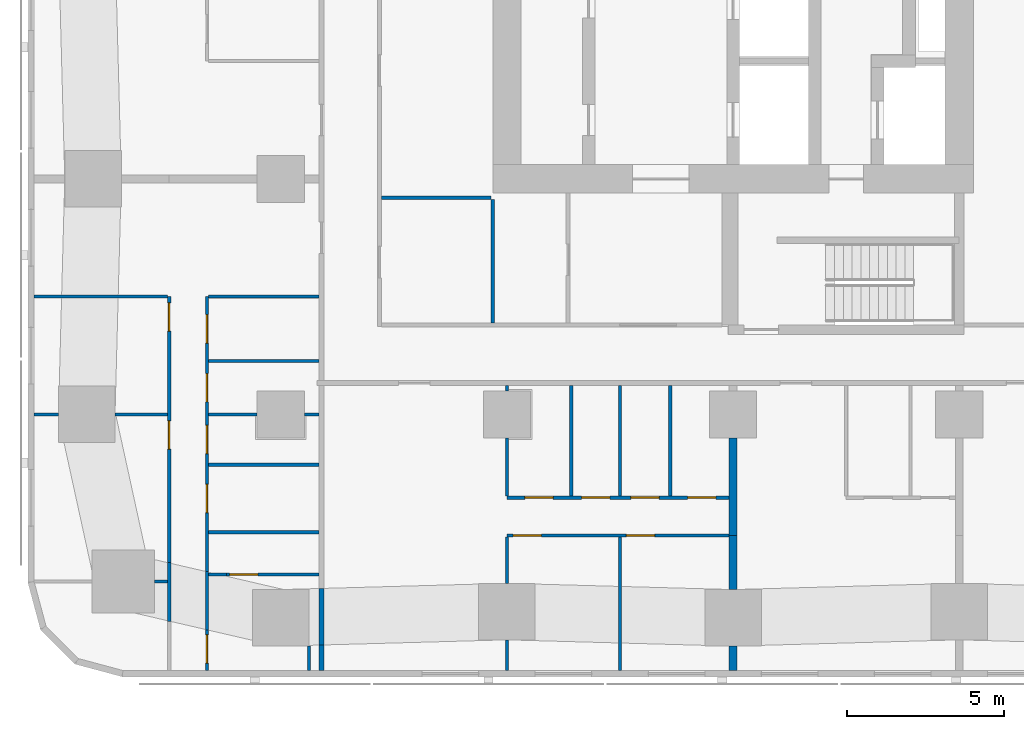
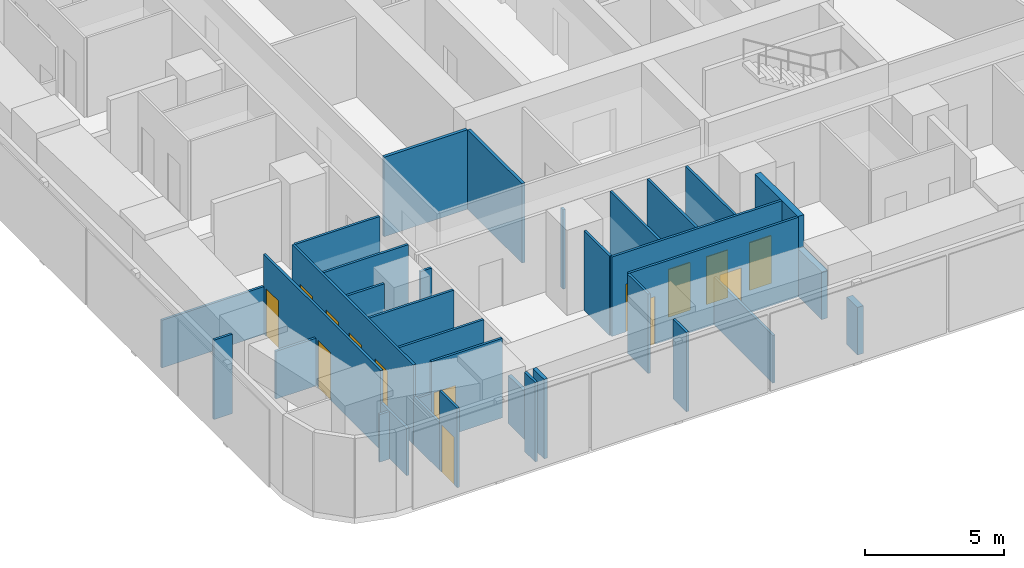
# One storey, part 2 of 15: 35 walls, 14 doors, 14 openings.
"""IFC4 building model written with IfcOpenShell, lengths in metres."""

from ifc_helpers import new_model, si_unit, direction, frame, frame_2d, origin, place, context, subcontext, project, spatial, rectangle, extrude, material, layer, layer_set, type_object, element, fill, save


model = new_model("IFC4")

# Units and contexts
model_context = context("Model", 3, precision=1e-05, world=origin(), true_north=direction((0.0, 1.0)))
body_context = subcontext(model_context, "Body", "Model", "MODEL_VIEW")
ifc_project = project(units=[si_unit("LENGTHUNIT", "METRE"), si_unit("AREAUNIT", "SQUARE_METRE"), si_unit("VOLUMEUNIT", "CUBIC_METRE"), si_unit("PLANEANGLEUNIT", "RADIAN"), si_unit("MASSUNIT", "GRAM", prefix="KILO")], contexts=[model_context])

# Site, building, storey
site_placement = place(None, origin())
site = spatial("IfcSite", under=ifc_project, at=site_placement, CompositionType="ELEMENT")
building_placement = place(site_placement, origin())
building = spatial("IfcBuilding", under=site, at=building_placement, Name="Sheger Commons Tower", CompositionType="ELEMENT")
storey_placement = place(building_placement, frame((0.0, 0.0, 180.800048828125)))
storey = spatial("IfcBuildingStorey", under=building, at=storey_placement, Name="L46", CompositionType="ELEMENT", Elevation=180.800048828125)

# Walls
ifc_material_1 = material(Name="Hollow concrete block masonry, skimmed both sides", Category="masonry")
ifc_layer_1 = layer(ifc_material_1, 0.14990234375)
ifc_layer_set_1 = layer_set([ifc_layer_1], Name="CORRIDOR WALL 150")
wall_type_1 = type_object("IfcWallType", Name="CORRIDOR WALL 150", PredefinedType="SOLIDWALL", material=ifc_layer_set_1)
wall_1_placement = place(storey_placement, frame((8.5, -0.64990234375, 0.0), z_axis=(0.0, 0.0, 1.0), x_axis=(0.0, 1.0, 0.0)))
element("IfcWall", 1, at=wall_1_placement, inside=storey, type_object=wall_type_1, Name="Corridor wall L46", PredefinedType="SOLIDWALL", context=body_context, shape_type="SweptSolid", body=[
    extrude(rectangle(XDim=0.808837890625, YDim=0.14990234375, at=frame_2d((0.404296875, 0.0))), origin(), (0.0, 0.0, 1.0), 3.5),
])
wall_2_placement = place(storey_placement, frame((8.5, 0.158935546875, 0.0), z_axis=(0.0, 0.0, 1.0), x_axis=(0.0, 1.0, 0.0)))
element("IfcWall", 2, at=wall_2_placement, inside=storey, type_object=wall_type_1, Name="Corridor wall L46", PredefinedType="SOLIDWALL", context=body_context, shape_type="SweptSolid", body=[
    extrude(rectangle(XDim=1.80517578125, YDim=0.14990234375, at=frame_2d((0.902587890625, 0.0))), origin(), (0.0, 0.0, 1.0), 2.099853515625),
])
ifc_material_2 = material(Name="Dense concrete block masonry, plastered both sides (separating wall between flats)", Category="masonry")
ifc_layer_2 = layer(ifc_material_2, 0.25)
ifc_layer_set_2 = layer_set([ifc_layer_2], Name="DEMISING WALL 250")
wall_type_2 = type_object("IfcWallType", Name="DEMISING WALL 250", PredefinedType="SOLIDWALL", material=ifc_layer_set_2)
wall_3_placement = place(storey_placement, frame((21.60009765625, -0.64990234375, 0.0), z_axis=(0.0, 0.0, 1.0), x_axis=(0.0, 1.0, 0.0)))
element("IfcWall", 3, at=wall_3_placement, inside=storey, type_object=wall_type_2, Name="Demising wall L46", PredefinedType="SOLIDWALL", context=body_context, shape_type="SweptSolid", body=[
    extrude(rectangle(XDim=0.77392578125, YDim=0.25, at=frame_2d((0.386962890625, 0.0))), origin(), (0.0, 0.0, 1.0), 2.099853515625),
])
wall_4_placement = place(storey_placement, frame((21.60009765625, 1.926025390625, 0.0), z_axis=(0.0, 0.0, 1.0), x_axis=(0.0, 1.0, 0.0)))
element("IfcWall", 4, at=wall_4_placement, inside=storey, type_object=wall_type_2, Name="Demising wall L46", PredefinedType="SOLIDWALL", context=body_context, shape_type="SweptSolid", body=[
    extrude(rectangle(XDim=1.723876953125, YDim=0.25, at=frame_2d((0.86181640625, 0.0))), origin(), (0.0, 0.0, 1.0), 2.099853515625),
])
wall_5_placement = place(storey_placement, frame((21.60009765625, 3.64990234375, 0.0), z_axis=(0.0, 0.0, 1.0), x_axis=(0.0, 1.0, 0.0)))
element("IfcWall", 5, at=wall_5_placement, inside=storey, type_object=wall_type_2, Name="Demising wall L46", PredefinedType="SOLIDWALL", context=body_context, shape_type="SweptSolid", body=[
    extrude(rectangle(XDim=3.09912109375, YDim=0.25, at=frame_2d((1.549560546875, 0.0))), origin(), (0.0, 0.0, 1.0), 3.5),
])
ifc_material_3 = material(Name="Gypsum board on steel studs", Category="steel")
ifc_layer_3 = layer(ifc_material_3, 0.10009765625)
ifc_layer_set_3 = layer_set([ifc_layer_3], Name="PARTITION 100")
wall_type_3 = type_object("IfcWallType", Name="PARTITION 100", PredefinedType="PARTITIONING", material=ifc_layer_set_3)
wall_6_placement = place(storey_placement, frame((8.10009765625, 0.1240234375, 0.0), z_axis=(0.0, 0.0, 1.0), x_axis=(0.0, -1.0, 0.0)))
element("IfcWall", 6, at=wall_6_placement, inside=storey, type_object=wall_type_3, Name="Partition L46", PredefinedType="PARTITIONING", context=body_context, shape_type="SweptSolid", body=[
    extrude(rectangle(XDim=0.77392578125, YDim=0.10009765625, at=frame_2d((0.386962890625, 0.0))), origin(), (0.0, 0.0, 1.0), 3.5),
])
wall_7_placement = place(storey_placement, frame((3.64990234375, 0.912109375, 0.0), z_axis=(0.0, 0.0, 1.0), x_axis=(0.0, 1.0, 0.0)))
element("IfcWall", 7, at=wall_7_placement, inside=storey, type_object=wall_type_3, Name="Partition L46", PredefinedType="PARTITIONING", context=body_context, shape_type="SweptSolid", body=[
    extrude(rectangle(XDim=1.869873046875, YDim=0.10009765625, at=frame_2d((0.93505859375, 0.0))), origin(), (0.0, 0.0, 1.0), 2.099853515625),
])

# Wall, openings, doors
wall_8_placement = place(storey_placement, frame((3.64990234375, 2.781982421875, 0.0), z_axis=(0.0, 0.0, 1.0), x_axis=(0.0, 1.0, 0.0)))
wall_8 = element("IfcWall", 8, at=wall_8_placement, inside=storey, type_object=wall_type_3, Name="Partition L46", PredefinedType="PARTITIONING", context=body_context, shape_type="SweptSolid", body=[
    extrude(rectangle(XDim=8.468017578125, YDim=0.10009765625, at=frame_2d((4.23388671875, 0.0))), origin(), (0.0, 0.0, 1.0), 3.5),
])
opening_1_placement = place(wall_8_placement, frame((7.367919921875, 0.0, 0.0)))
opening_1 = element("IfcOpeningElement", 9, at=opening_1_placement, cuts=wall_8, Name="Opening D2", PredefinedType="OPENING", context=body_context, shape_type="SweptSolid", body=[
    extrude(rectangle(XDim=0.89990234375, YDim=2.10009765625, at=frame_2d((0.449951171875, 1.050048828125))), frame((0.0, 0.06005859375, 0.0), z_axis=(0.0, -1.0, 0.0), x_axis=(1.0, 0.0, 0.0)), (0.0, 0.0, 1.0), 0.1201171875),
])
opening_2_placement = place(wall_8_placement, frame((3.617919921875, 0.0, 0.0)))
opening_2 = element("IfcOpeningElement", 10, at=opening_2_placement, cuts=wall_8, Name="Opening D2", PredefinedType="OPENING", context=body_context, shape_type="SweptSolid", body=[
    extrude(rectangle(XDim=0.89990234375, YDim=2.10009765625, at=frame_2d((0.449951171875, 1.050048828125))), frame((0.0, 0.06005859375, 0.0), z_axis=(0.0, -1.0, 0.0), x_axis=(1.0, 0.0, 0.0)), (0.0, 0.0, 1.0), 0.1201171875),
])
ifc_material_4 = material(Name="Timber door set", Category="wood")
door_type = type_object("IfcDoorType", Name="INTERNAL DOOR 900x2100", OperationType="NOTDEFINED", PredefinedType="DOOR", material=ifc_material_4)
door_1_placement = place(opening_1_placement, origin())
door_1 = element("IfcDoor", 11, at=door_1_placement, inside=storey, type_object=door_type, Name="Main bedroom door", OperationType="SINGLE_SWING_RIGHT", OverallHeight=2.10009765625, OverallWidth=0.89990234375, PredefinedType="DOOR", context=body_context, shape_type="SweptSolid", body=[
    extrude(rectangle(XDim=0.89990234375, YDim=2.10009765625, at=frame_2d((0.449951171875, 1.050048828125))), frame((0.0, 0.02490234375, 0.0), z_axis=(0.0, -1.0, 0.0), x_axis=(1.0, 0.0, 0.0)), (0.0, 0.0, 1.0), 0.050048828125),
])
fill(opening_1, door_1)
door_2_placement = place(opening_2_placement, origin())
door_2 = element("IfcDoor", 12, at=door_2_placement, inside=storey, type_object=door_type, Name="Bedroom 2 door", OperationType="SINGLE_SWING_RIGHT", OverallHeight=2.10009765625, OverallWidth=0.89990234375, PredefinedType="DOOR", context=body_context, shape_type="SweptSolid", body=[
    extrude(rectangle(XDim=0.89990234375, YDim=2.10009765625, at=frame_2d((0.449951171875, 1.050048828125))), frame((0.0, 0.02490234375, 0.0), z_axis=(0.0, -1.0, 0.0), x_axis=(1.0, 0.0, 0.0)), (0.0, 0.0, 1.0), 0.050048828125),
])
fill(opening_2, door_2)

# Wall, opening, door
wall_9_placement = place(storey_placement, frame((4.85009765625, -0.64990234375, 0.0), z_axis=(0.0, 0.0, 1.0), x_axis=(0.0, 1.0, 0.0)))
wall_9 = element("IfcWall", 13, at=wall_9_placement, inside=storey, type_object=wall_type_3, Name="Partition L46", PredefinedType="PARTITIONING", context=body_context, shape_type="SweptSolid", body=[
    extrude(rectangle(XDim=1.283935546875, YDim=0.10009765625, at=frame_2d((0.64208984375, 0.0))), origin(), (0.0, 0.0, 1.0), 3.5),
])
opening_3_placement = place(wall_9_placement, frame((0.23388671875, 0.0, 0.0)))
opening_3 = element("IfcOpeningElement", 14, at=opening_3_placement, cuts=wall_9, Name="Opening D2", PredefinedType="OPENING", context=body_context, shape_type="SweptSolid", body=[
    extrude(rectangle(XDim=0.89990234375, YDim=2.10009765625, at=frame_2d((0.449951171875, 1.050048828125))), frame((0.0, 0.06005859375, 0.0), z_axis=(0.0, -1.0, 0.0), x_axis=(1.0, 0.0, 0.0)), (0.0, 0.0, 1.0), 0.1201171875),
])
door_3_placement = place(opening_3_placement, origin())
door_3 = element("IfcDoor", 15, at=door_3_placement, inside=storey, type_object=door_type, Name="Store and laundry door", OperationType="SINGLE_SWING_LEFT", OverallHeight=2.10009765625, OverallWidth=0.89990234375, PredefinedType="DOOR", context=body_context, shape_type="SweptSolid", body=[
    extrude(rectangle(XDim=0.89990234375, YDim=2.10009765625, at=frame_2d((0.449951171875, 1.050048828125))), frame((0.0, 0.02490234375, 0.0), z_axis=(0.0, -1.0, 0.0), x_axis=(1.0, 0.0, 0.0)), (0.0, 0.0, 1.0), 0.050048828125),
])
fill(opening_3, door_3)

# Wall
wall_10_placement = place(storey_placement, frame((4.85009765625, 0.634033203125, 0.0), z_axis=(0.0, 0.0, 1.0), x_axis=(0.0, 1.0, 0.0)))
element("IfcWall", 16, at=wall_10_placement, inside=storey, type_object=wall_type_3, Name="Partition L46", PredefinedType="PARTITIONING", context=body_context, shape_type="SweptSolid", body=[
    extrude(rectangle(XDim=1.870849609375, YDim=0.10009765625, at=frame_2d((0.935546875, 0.0))), origin(), (0.0, 0.0, 1.0), 2.099853515625),
])

# Wall, openings, doors
wall_11_placement = place(storey_placement, frame((4.85009765625, 2.5048828125, 0.0), z_axis=(0.0, 0.0, 1.0), x_axis=(0.0, 1.0, 0.0)))
wall_11 = element("IfcWall", 17, at=wall_11_placement, inside=storey, type_object=wall_type_3, Name="Partition L46", PredefinedType="PARTITIONING", context=body_context, shape_type="SweptSolid", body=[
    extrude(rectangle(XDim=8.7451171875, YDim=0.10009765625, at=frame_2d((4.37255859375, 0.0))), origin(), (0.0, 0.0, 1.0), 3.5),
])
opening_4_placement = place(wall_11_placement, frame((7.27001953125, 0.0, 0.0)))
opening_4 = element("IfcOpeningElement", 18, at=opening_4_placement, cuts=wall_11, Name="Opening D2", PredefinedType="OPENING", context=body_context, shape_type="SweptSolid", body=[
    extrude(rectangle(XDim=0.89990234375, YDim=2.10009765625, at=frame_2d((0.449951171875, 1.050048828125))), frame((0.0, 0.06005859375, 0.0), z_axis=(0.0, -1.0, 0.0), x_axis=(1.0, 0.0, 0.0)), (0.0, 0.0, 1.0), 0.1201171875),
])
opening_5_placement = place(wall_11_placement, frame((3.7451171875, 0.0, 0.0)))
opening_5 = element("IfcOpeningElement", 19, at=opening_5_placement, cuts=wall_11, Name="Opening D2", PredefinedType="OPENING", context=body_context, shape_type="SweptSolid", body=[
    extrude(rectangle(XDim=0.89990234375, YDim=2.10009765625, at=frame_2d((0.449951171875, 1.050048828125))), frame((0.0, 0.06005859375, 0.0), z_axis=(0.0, -1.0, 0.0), x_axis=(1.0, 0.0, 0.0)), (0.0, 0.0, 1.0), 0.1201171875),
])
opening_6_placement = place(wall_11_placement, frame((5.39501953125, 0.0, 0.0)))
opening_6 = element("IfcOpeningElement", 20, at=opening_6_placement, cuts=wall_11, Name="Opening D2", PredefinedType="OPENING", context=body_context, shape_type="SweptSolid", body=[
    extrude(rectangle(XDim=0.89990234375, YDim=2.10009765625, at=frame_2d((0.449951171875, 1.050048828125))), frame((0.0, 0.06005859375, 0.0), z_axis=(0.0, -1.0, 0.0), x_axis=(1.0, 0.0, 0.0)), (0.0, 0.0, 1.0), 0.1201171875),
])
opening_7_placement = place(wall_11_placement, frame((1.8701171875, 0.0, 0.0)))
opening_7 = element("IfcOpeningElement", 21, at=opening_7_placement, cuts=wall_11, Name="Opening D2", PredefinedType="OPENING", context=body_context, shape_type="SweptSolid", body=[
    extrude(rectangle(XDim=0.89990234375, YDim=2.10009765625, at=frame_2d((0.449951171875, 1.050048828125))), frame((0.0, 0.06005859375, 0.0), z_axis=(0.0, -1.0, 0.0), x_axis=(1.0, 0.0, 0.0)), (0.0, 0.0, 1.0), 0.1201171875),
])
door_4_placement = place(opening_4_placement, origin())
door_4 = element("IfcDoor", 22, at=door_4_placement, inside=storey, type_object=door_type, Name="Bathroom door", OperationType="SINGLE_SWING_LEFT", OverallHeight=2.10009765625, OverallWidth=0.89990234375, PredefinedType="DOOR", context=body_context, shape_type="SweptSolid", body=[
    extrude(rectangle(XDim=0.89990234375, YDim=2.10009765625, at=frame_2d((0.449951171875, 1.050048828125))), frame((0.0, 0.02490234375, 0.0), z_axis=(0.0, -1.0, 0.0), x_axis=(1.0, 0.0, 0.0)), (0.0, 0.0, 1.0), 0.050048828125),
])
fill(opening_4, door_4)
door_5_placement = place(opening_5_placement, origin())
door_5 = element("IfcDoor", 23, at=door_5_placement, inside=storey, type_object=door_type, Name="Shower room door", OperationType="SINGLE_SWING_LEFT", OverallHeight=2.10009765625, OverallWidth=0.89990234375, PredefinedType="DOOR", context=body_context, shape_type="SweptSolid", body=[
    extrude(rectangle(XDim=0.89990234375, YDim=2.10009765625, at=frame_2d((0.449951171875, 1.050048828125))), frame((0.0, 0.02490234375, 0.0), z_axis=(0.0, -1.0, 0.0), x_axis=(1.0, 0.0, 0.0)), (0.0, 0.0, 1.0), 0.050048828125),
])
fill(opening_5, door_5)
door_6_placement = place(opening_6_placement, origin())
door_6 = element("IfcDoor", 24, at=door_6_placement, inside=storey, type_object=door_type, Name="Store door", OperationType="SINGLE_SWING_RIGHT", OverallHeight=2.10009765625, OverallWidth=0.89990234375, PredefinedType="DOOR", context=body_context, shape_type="SweptSolid", body=[
    extrude(rectangle(XDim=0.89990234375, YDim=2.10009765625, at=frame_2d((0.449951171875, 1.050048828125))), frame((0.0, 0.02490234375, 0.0), z_axis=(0.0, -1.0, 0.0), x_axis=(1.0, 0.0, 0.0)), (0.0, 0.0, 1.0), 0.050048828125),
])
fill(opening_6, door_6)
door_7_placement = place(opening_7_placement, origin())
door_7 = element("IfcDoor", 25, at=door_7_placement, inside=storey, type_object=door_type, Name="Store door", OperationType="SINGLE_SWING_RIGHT", OverallHeight=2.10009765625, OverallWidth=0.89990234375, PredefinedType="DOOR", context=body_context, shape_type="SweptSolid", body=[
    extrude(rectangle(XDim=0.89990234375, YDim=2.10009765625, at=frame_2d((0.449951171875, 1.050048828125))), frame((0.0, 0.02490234375, 0.0), z_axis=(0.0, -1.0, 0.0), x_axis=(1.0, 0.0, 0.0)), (0.0, 0.0, 1.0), 0.050048828125),
])
fill(opening_7, door_7)

# Walls
wall_12_placement = place(storey_placement, frame((3.18701171875, 2.18603515625, 0.0), z_axis=(0.0, 0.0, 1.0), x_axis=(1.0, 0.0, 0.0)))
element("IfcWall", 26, at=wall_12_placement, inside=storey, type_object=wall_type_3, Name="Partition L46", PredefinedType="PARTITIONING", context=body_context, shape_type="SweptSolid", body=[
    extrude(rectangle(XDim=0.4130859375, YDim=0.10009765625, at=frame_2d((0.20654296875, 0.0))), origin(), (0.0, 0.0, 1.0), 2.099853515625),
])
wall_13_placement = place(storey_placement, frame((-0.64990234375, 7.5, 0.0), z_axis=(0.0, 0.0, 1.0), x_axis=(1.0, 0.0, 0.0)))
element("IfcWall", 27, at=wall_13_placement, inside=storey, type_object=wall_type_3, Name="Partition L46", PredefinedType="PARTITIONING", context=body_context, shape_type="SweptSolid", body=[
    extrude(rectangle(XDim=0.77392578125, YDim=0.10009765625, at=frame_2d((0.386962890625, 0.0))), origin(), (0.0, 0.0, 1.0), 3.5),
])
wall_14_placement = place(storey_placement, frame((1.926025390625, 7.5, 0.0), z_axis=(0.0, 0.0, 1.0), x_axis=(1.0, 0.0, 0.0)))
element("IfcWall", 28, at=wall_14_placement, inside=storey, type_object=wall_type_3, Name="Partition L46", PredefinedType="PARTITIONING", context=body_context, shape_type="SweptSolid", body=[
    extrude(rectangle(XDim=1.674072265625, YDim=0.10009765625, at=frame_2d((0.8369140625, 0.0))), origin(), (0.0, 0.0, 1.0), 2.099853515625),
])
wall_15_placement = place(storey_placement, frame((-0.64990234375, 11.25, 0.0), z_axis=(0.0, 0.0, 1.0), x_axis=(1.0, 0.0, 0.0)))
element("IfcWall", 29, at=wall_15_placement, inside=storey, type_object=wall_type_3, Name="Partition L46", PredefinedType="PARTITIONING", context=body_context, shape_type="SweptSolid", body=[
    extrude(rectangle(XDim=4.25, YDim=0.10009765625, at=frame_2d((2.125, 0.0))), origin(), (0.0, 0.0, 1.0), 2.099853515625),
])
wall_16_placement = place(storey_placement, frame((4.89990234375, 3.75, 0.0), z_axis=(0.0, 0.0, 1.0), x_axis=(1.0, 0.0, 0.0)))
element("IfcWall", 30, at=wall_16_placement, inside=storey, type_object=wall_type_3, Name="Partition L46", PredefinedType="PARTITIONING", context=body_context, shape_type="SweptSolid", body=[
    extrude(rectangle(XDim=3.525146484375, YDim=0.10009765625, at=frame_2d((1.7626953125, 0.0))), origin(), (0.0, 0.0, 1.0), 3.5),
])
wall_17_placement = place(storey_placement, frame((4.89990234375, 7.5, 0.0), z_axis=(0.0, 0.0, 1.0), x_axis=(1.0, 0.0, 0.0)))
element("IfcWall", 31, at=wall_17_placement, inside=storey, type_object=wall_type_3, Name="Partition L46", PredefinedType="PARTITIONING", context=body_context, shape_type="SweptSolid", body=[
    extrude(rectangle(XDim=1.549072265625, YDim=0.10009765625, at=frame_2d((0.7744140625, 0.0))), origin(), (0.0, 0.0, 1.0), 3.5),
])
wall_18_placement = place(storey_placement, frame((7.950927734375, 7.5, 0.0), z_axis=(0.0, 0.0, 1.0), x_axis=(1.0, 0.0, 0.0)))
element("IfcWall", 32, at=wall_18_placement, inside=storey, type_object=wall_type_3, Name="Partition L46", PredefinedType="PARTITIONING", context=body_context, shape_type="SweptSolid", body=[
    extrude(rectangle(XDim=0.47412109375, YDim=0.10009765625, at=frame_2d((0.237060546875, 0.0))), origin(), (0.0, 0.0, 1.0), 3.5),
])
for number, where, z_axis, x_axis, name in (
    (33, (4.89990234375, 11.25, 0.0), (0.0, 0.0, 1.0), (1.0, 0.0, 0.0), "Partition L46"),
    (34, (4.89990234375, 9.199951171875, 0.0), (0.0, 0.0, 1.0), (1.0, 0.0, 0.0), "Partition L46"),
    (35, (4.89990234375, 5.89990234375, 0.0), (0.0, 0.0, 1.0), (1.0, 0.0, 0.0), "Partition L46"),
):
    element("IfcWall", number, at=place(storey_placement, frame(where, z_axis=z_axis, x_axis=x_axis)), inside=storey, type_object=wall_type_3, Name=name, PredefinedType="PARTITIONING", context=body_context, shape_type="SweptSolid", body=[
        extrude(rectangle(XDim=3.525146484375, YDim=0.10009765625, at=frame_2d((1.7626953125, 0.0))), origin(), (0.0, 0.0, 1.0), 3.5),
    ])

# Wall, openings, doors
wall_19_placement = place(storey_placement, frame((21.47509765625, 3.64990234375, 0.0), z_axis=(0.0, 0.0, 1.0), x_axis=(-1.0, 0.0, 0.0)))
wall_19 = element("IfcWall", 36, at=wall_19_placement, inside=storey, type_object=wall_type_3, Name="Partition L46", PredefinedType="PARTITIONING", context=body_context, shape_type="SweptSolid", body=[
    extrude(rectangle(XDim=7.0751953125, YDim=0.10009765625, at=frame_2d((3.53759765625, 0.0))), origin(), (0.0, 0.0, 1.0), 3.5),
])
opening_8_placement = place(wall_19_placement, frame((5.97509765625, 0.0, 0.0)))
opening_8 = element("IfcOpeningElement", 37, at=opening_8_placement, cuts=wall_19, Name="Opening D2", PredefinedType="OPENING", context=body_context, shape_type="SweptSolid", body=[
    extrude(rectangle(XDim=0.89990234375, YDim=2.10009765625, at=frame_2d((0.449951171875, 1.050048828125))), frame((0.0, 0.06005859375, 0.0), z_axis=(0.0, -1.0, 0.0), x_axis=(1.0, 0.0, 0.0)), (0.0, 0.0, 1.0), 0.1201171875),
])
opening_9_placement = place(wall_19_placement, frame((2.375, 0.0, 0.0)))
opening_9 = element("IfcOpeningElement", 38, at=opening_9_placement, cuts=wall_19, Name="Opening D2", PredefinedType="OPENING", context=body_context, shape_type="SweptSolid", body=[
    extrude(rectangle(XDim=0.89990234375, YDim=2.10009765625, at=frame_2d((0.449951171875, 1.050048828125))), frame((0.0, 0.06005859375, 0.0), z_axis=(0.0, -1.0, 0.0), x_axis=(1.0, 0.0, 0.0)), (0.0, 0.0, 1.0), 0.1201171875),
])
door_8_placement = place(opening_8_placement, origin())
door_8 = element("IfcDoor", 39, at=door_8_placement, inside=storey, type_object=door_type, Name="Main bedroom door", OperationType="SINGLE_SWING_RIGHT", OverallHeight=2.10009765625, OverallWidth=0.89990234375, PredefinedType="DOOR", context=body_context, shape_type="SweptSolid", body=[
    extrude(rectangle(XDim=0.89990234375, YDim=2.10009765625, at=frame_2d((0.449951171875, 1.050048828125))), frame((0.0, 0.02490234375, 0.0), z_axis=(0.0, -1.0, 0.0), x_axis=(1.0, 0.0, 0.0)), (0.0, 0.0, 1.0), 0.050048828125),
])
fill(opening_8, door_8)
door_9_placement = place(opening_9_placement, origin())
door_9 = element("IfcDoor", 40, at=door_9_placement, inside=storey, type_object=door_type, Name="Bedroom 2 door", OperationType="SINGLE_SWING_RIGHT", OverallHeight=2.10009765625, OverallWidth=0.89990234375, PredefinedType="DOOR", context=body_context, shape_type="SweptSolid", body=[
    extrude(rectangle(XDim=0.89990234375, YDim=2.10009765625, at=frame_2d((0.449951171875, 1.050048828125))), frame((0.0, 0.02490234375, 0.0), z_axis=(0.0, -1.0, 0.0), x_axis=(1.0, 0.0, 0.0)), (0.0, 0.0, 1.0), 0.050048828125),
])
fill(opening_9, door_9)

wall_20_placement = place(storey_placement, frame((21.47509765625, 4.85009765625, 0.0), z_axis=(0.0, 0.0, 1.0), x_axis=(-1.0, 0.0, 0.0)))
wall_20 = element("IfcWall", 41, at=wall_20_placement, inside=storey, type_object=wall_type_3, Name="Partition L46", PredefinedType="PARTITIONING", context=body_context, shape_type="SweptSolid", body=[
    extrude(rectangle(XDim=7.0751953125, YDim=0.10009765625, at=frame_2d((3.53759765625, 0.0))), origin(), (0.0, 0.0, 1.0), 3.5),
])
opening_10_placement = place(wall_20_placement, frame((5.60009765625, 0.0, 0.0)))
opening_10 = element("IfcOpeningElement", 42, at=opening_10_placement, cuts=wall_20, Name="Opening D2", PredefinedType="OPENING", context=body_context, shape_type="SweptSolid", body=[
    extrude(rectangle(XDim=0.89990234375, YDim=2.10009765625, at=frame_2d((0.449951171875, 1.050048828125))), frame((0.0, 0.06005859375, 0.0), z_axis=(0.0, -1.0, 0.0), x_axis=(1.0, 0.0, 0.0)), (0.0, 0.0, 1.0), 0.1201171875),
])
opening_11_placement = place(wall_20_placement, frame((2.22509765625, 0.0, 0.0)))
opening_11 = element("IfcOpeningElement", 43, at=opening_11_placement, cuts=wall_20, Name="Opening D2", PredefinedType="OPENING", context=body_context, shape_type="SweptSolid", body=[
    extrude(rectangle(XDim=0.89990234375, YDim=2.10009765625, at=frame_2d((0.449951171875, 1.050048828125))), frame((0.0, 0.06005859375, 0.0), z_axis=(0.0, -1.0, 0.0), x_axis=(1.0, 0.0, 0.0)), (0.0, 0.0, 1.0), 0.1201171875),
])
opening_12_placement = place(wall_20_placement, frame((3.800048828125, 0.0, 0.0)))
opening_12 = element("IfcOpeningElement", 44, at=opening_12_placement, cuts=wall_20, Name="Opening D2", PredefinedType="OPENING", context=body_context, shape_type="SweptSolid", body=[
    extrude(rectangle(XDim=0.89990234375, YDim=2.10009765625, at=frame_2d((0.449951171875, 1.050048828125))), frame((0.0, 0.06005859375, 0.0), z_axis=(0.0, -1.0, 0.0), x_axis=(1.0, 0.0, 0.0)), (0.0, 0.0, 1.0), 0.1201171875),
])
opening_13_placement = place(wall_20_placement, frame((0.425048828125, 0.0, 0.0)))
opening_13 = element("IfcOpeningElement", 45, at=opening_13_placement, cuts=wall_20, Name="Opening D2", PredefinedType="OPENING", context=body_context, shape_type="SweptSolid", body=[
    extrude(rectangle(XDim=0.89990234375, YDim=2.10009765625, at=frame_2d((0.449951171875, 1.050048828125))), frame((0.0, 0.06005859375, 0.0), z_axis=(0.0, -1.0, 0.0), x_axis=(1.0, 0.0, 0.0)), (0.0, 0.0, 1.0), 0.1201171875),
])
door_10_placement = place(opening_10_placement, origin())
door_10 = element("IfcDoor", 46, at=door_10_placement, inside=storey, type_object=door_type, Name="Bathroom door", OperationType="SINGLE_SWING_LEFT", OverallHeight=2.10009765625, OverallWidth=0.89990234375, PredefinedType="DOOR", context=body_context, shape_type="SweptSolid", body=[
    extrude(rectangle(XDim=0.89990234375, YDim=2.10009765625, at=frame_2d((0.449951171875, 1.050048828125))), frame((0.0, 0.02490234375, 0.0), z_axis=(0.0, -1.0, 0.0), x_axis=(1.0, 0.0, 0.0)), (0.0, 0.0, 1.0), 0.050048828125),
])
fill(opening_10, door_10)
door_11_placement = place(opening_11_placement, origin())
door_11 = element("IfcDoor", 47, at=door_11_placement, inside=storey, type_object=door_type, Name="Shower room door", OperationType="SINGLE_SWING_RIGHT", OverallHeight=2.10009765625, OverallWidth=0.89990234375, PredefinedType="DOOR", context=body_context, shape_type="SweptSolid", body=[
    extrude(rectangle(XDim=0.89990234375, YDim=2.10009765625, at=frame_2d((0.449951171875, 1.050048828125))), frame((0.0, 0.02490234375, 0.0), z_axis=(0.0, -1.0, 0.0), x_axis=(1.0, 0.0, 0.0)), (0.0, 0.0, 1.0), 0.050048828125),
])
fill(opening_11, door_11)
door_12_placement = place(opening_12_placement, origin())
door_12 = element("IfcDoor", 48, at=door_12_placement, inside=storey, type_object=door_type, Name="Store door", OperationType="SINGLE_SWING_RIGHT", OverallHeight=2.10009765625, OverallWidth=0.89990234375, PredefinedType="DOOR", context=body_context, shape_type="SweptSolid", body=[
    extrude(rectangle(XDim=0.89990234375, YDim=2.10009765625, at=frame_2d((0.449951171875, 1.050048828125))), frame((0.0, 0.02490234375, 0.0), z_axis=(0.0, -1.0, 0.0), x_axis=(1.0, 0.0, 0.0)), (0.0, 0.0, 1.0), 0.050048828125),
])
fill(opening_12, door_12)
door_13_placement = place(opening_13_placement, origin())
door_13 = element("IfcDoor", 49, at=door_13_placement, inside=storey, type_object=door_type, Name="Store door", OperationType="SINGLE_SWING_RIGHT", OverallHeight=2.10009765625, OverallWidth=0.89990234375, PredefinedType="DOOR", context=body_context, shape_type="SweptSolid", body=[
    extrude(rectangle(XDim=0.89990234375, YDim=2.10009765625, at=frame_2d((0.449951171875, 1.050048828125))), frame((0.0, 0.02490234375, 0.0), z_axis=(0.0, -1.0, 0.0), x_axis=(1.0, 0.0, 0.0)), (0.0, 0.0, 1.0), 0.050048828125),
])
fill(opening_13, door_13)

# Walls
wall_21_placement = place(storey_placement, frame((14.39990234375, -0.64990234375, 0.0), z_axis=(0.0, 0.0, 1.0), x_axis=(0.0, 1.0, 0.0)))
element("IfcWall", 50, at=wall_21_placement, inside=storey, type_object=wall_type_3, Name="Partition L46", PredefinedType="PARTITIONING", context=body_context, shape_type="SweptSolid", body=[
    extrude(rectangle(XDim=0.973876953125, YDim=0.10009765625, at=frame_2d((0.48681640625, 0.0))), origin(), (0.0, 0.0, 1.0), 3.5),
])
wall_22_placement = place(storey_placement, frame((14.39990234375, 2.1259765625, 0.0), z_axis=(0.0, 0.0, 1.0), x_axis=(0.0, 1.0, 0.0)))
element("IfcWall", 51, at=wall_22_placement, inside=storey, type_object=wall_type_3, Name="Partition L46", PredefinedType="PARTITIONING", context=body_context, shape_type="SweptSolid", body=[
    extrude(rectangle(XDim=1.47412109375, YDim=0.10009765625, at=frame_2d((0.737060546875, 0.0))), origin(), (0.0, 0.0, 1.0), 3.5),
])
wall_23_placement = place(storey_placement, frame((18.0, -0.64990234375, 0.0), z_axis=(0.0, 0.0, 1.0), x_axis=(0.0, 1.0, 0.0)))
element("IfcWall", 52, at=wall_23_placement, inside=storey, type_object=wall_type_3, Name="Partition L46", PredefinedType="PARTITIONING", context=body_context, shape_type="SweptSolid", body=[
    extrude(rectangle(XDim=4.25, YDim=0.10009765625, at=frame_2d((2.125, 0.0))), origin(), (0.0, 0.0, 1.0), 2.099853515625),
])
wall_24_placement = place(storey_placement, frame((14.39990234375, 4.89990234375, 0.0), z_axis=(0.0, 0.0, 1.0), x_axis=(0.0, 1.0, 0.0)))
element("IfcWall", 53, at=wall_24_placement, inside=storey, type_object=wall_type_3, Name="Partition L46", PredefinedType="PARTITIONING", context=body_context, shape_type="SweptSolid", body=[
    extrude(rectangle(XDim=1.84912109375, YDim=0.10009765625, at=frame_2d((0.924560546875, 0.0))), origin(), (0.0, 0.0, 1.0), 3.5),
])
wall_25_placement = place(storey_placement, frame((14.39990234375, 8.2509765625, 0.0), z_axis=(0.0, 0.0, 1.0), x_axis=(0.0, 1.0, 0.0)))
element("IfcWall", 54, at=wall_25_placement, inside=storey, type_object=wall_type_3, Name="Partition L46", PredefinedType="PARTITIONING", context=body_context, shape_type="SweptSolid", body=[
    extrude(rectangle(XDim=0.174072265625, YDim=0.10009765625, at=frame_2d((0.0869140625, 0.0))), origin(), (0.0, 0.0, 1.0), 3.5),
])
for number, where, z_axis, x_axis, name in (
    (55, (18.0, 4.89990234375, 0.0), (0.0, 0.0, 1.0), (0.0, 1.0, 0.0), "Partition L46"),
    (56, (16.449951171875, 4.89990234375, 0.0), (0.0, 0.0, 1.0), (0.0, 1.0, 0.0), "Partition L46"),
    (57, (19.60009765625, 4.89990234375, 0.0), (0.0, 0.0, 1.0), (0.0, 1.0, 0.0), "Partition L46"),
):
    element("IfcWall", number, at=place(storey_placement, frame(where, z_axis=z_axis, x_axis=x_axis)), inside=storey, type_object=wall_type_3, Name=name, PredefinedType="PARTITIONING", context=body_context, shape_type="SweptSolid", body=[
        extrude(rectangle(XDim=3.525146484375, YDim=0.10009765625, at=frame_2d((1.7626953125, 0.0))), origin(), (0.0, 0.0, 1.0), 3.5),
    ])

# Wall, opening, door
wall_26_placement = place(storey_placement, frame((5.467041015625, 2.39990234375, 0.0), z_axis=(0.0, 0.0, 1.0), x_axis=(1.0, 0.0, 0.0)))
wall_26 = element("IfcWall", 58, at=wall_26_placement, inside=storey, type_object=wall_type_3, Name="Partition L46", PredefinedType="PARTITIONING", context=body_context, shape_type="SweptSolid", body=[
    extrude(rectangle(XDim=2.9580078125, YDim=0.10009765625, at=frame_2d((1.47900390625, 0.0))), origin(), (0.0, 0.0, 1.0), 3.5),
])
opening_14_placement = place(wall_26_placement, frame((0.10791015625, 0.0, 0.0)))
opening_14 = element("IfcOpeningElement", 59, at=opening_14_placement, cuts=wall_26, Name="Opening D2", PredefinedType="OPENING", context=body_context, shape_type="SweptSolid", body=[
    extrude(rectangle(XDim=0.89990234375, YDim=2.10009765625, at=frame_2d((0.449951171875, 1.050048828125))), frame((0.0, 0.06005859375, 0.0), z_axis=(0.0, -1.0, 0.0), x_axis=(1.0, 0.0, 0.0)), (0.0, 0.0, 1.0), 0.1201171875),
])
door_14_placement = place(opening_14_placement, origin())
door_14 = element("IfcDoor", 60, at=door_14_placement, inside=storey, type_object=door_type, Name="Store door", OperationType="SINGLE_SWING_LEFT", OverallHeight=2.10009765625, OverallWidth=0.89990234375, PredefinedType="DOOR", context=body_context, shape_type="SweptSolid", body=[
    extrude(rectangle(XDim=0.89990234375, YDim=2.10009765625, at=frame_2d((0.449951171875, 1.050048828125))), frame((0.0, 0.02490234375, 0.0), z_axis=(0.0, -1.0, 0.0), x_axis=(1.0, 0.0, 0.0)), (0.0, 0.0, 1.0), 0.050048828125),
])
fill(opening_14, door_14)

# Walls
wall_27_placement = place(storey_placement, frame((5.467041015625, 2.39990234375, 0.0), z_axis=(0.0, 0.0, 1.0), x_axis=(-1.0, 0.0, 0.0)))
element("IfcWall", 61, at=wall_27_placement, inside=storey, type_object=wall_type_3, Name="Partition L46", PredefinedType="PARTITIONING", context=body_context, shape_type="SweptSolid", body=[
    extrude(rectangle(XDim=0.567138671875, YDim=0.10009765625, at=frame_2d((0.28369140625, 0.0))), origin(), (0.0, 0.0, 1.0), 2.099853515625),
])
ifc_material_5 = material(Name="Gypsum board on steel studs, two layers each side, fire rated", Category="steel")
ifc_layer_4 = layer(ifc_material_5, 0.125)
ifc_layer_set_4 = layer_set([ifc_layer_4], Name="SERVICE WALL 125")
wall_type_4 = type_object("IfcWallType", Name="SERVICE WALL 125", PredefinedType="PARTITIONING", material=ifc_layer_set_4)
wall_28_placement = place(storey_placement, frame((10.4130859375, 14.39990234375, 0.0), z_axis=(0.0, 0.0, 1.0), x_axis=(1.0, 0.0, 0.0)))
element("IfcWall", 62, at=wall_28_placement, inside=storey, type_object=wall_type_4, Name="Service room wall L46", PredefinedType="PARTITIONING", context=body_context, shape_type="SweptSolid", body=[
    extrude(rectangle(XDim=3.474853515625, YDim=0.125, at=frame_2d((1.7373046875, 0.0))), origin(), (0.0, 0.0, 1.0), 3.5),
])
wall_29_placement = place(storey_placement, frame((13.949951171875, 10.4130859375, 0.0), z_axis=(0.0, 0.0, 1.0), x_axis=(0.0, 1.0, 0.0)))
element("IfcWall", 63, at=wall_29_placement, inside=storey, type_object=wall_type_4, Name="Service room wall L46", PredefinedType="PARTITIONING", context=body_context, shape_type="SweptSolid", body=[
    extrude(rectangle(XDim=3.9248046875, YDim=0.125, at=frame_2d((1.96240234375, 0.0))), origin(), (0.0, 0.0, 1.0), 3.5),
])

save(model, "model.ifc")
